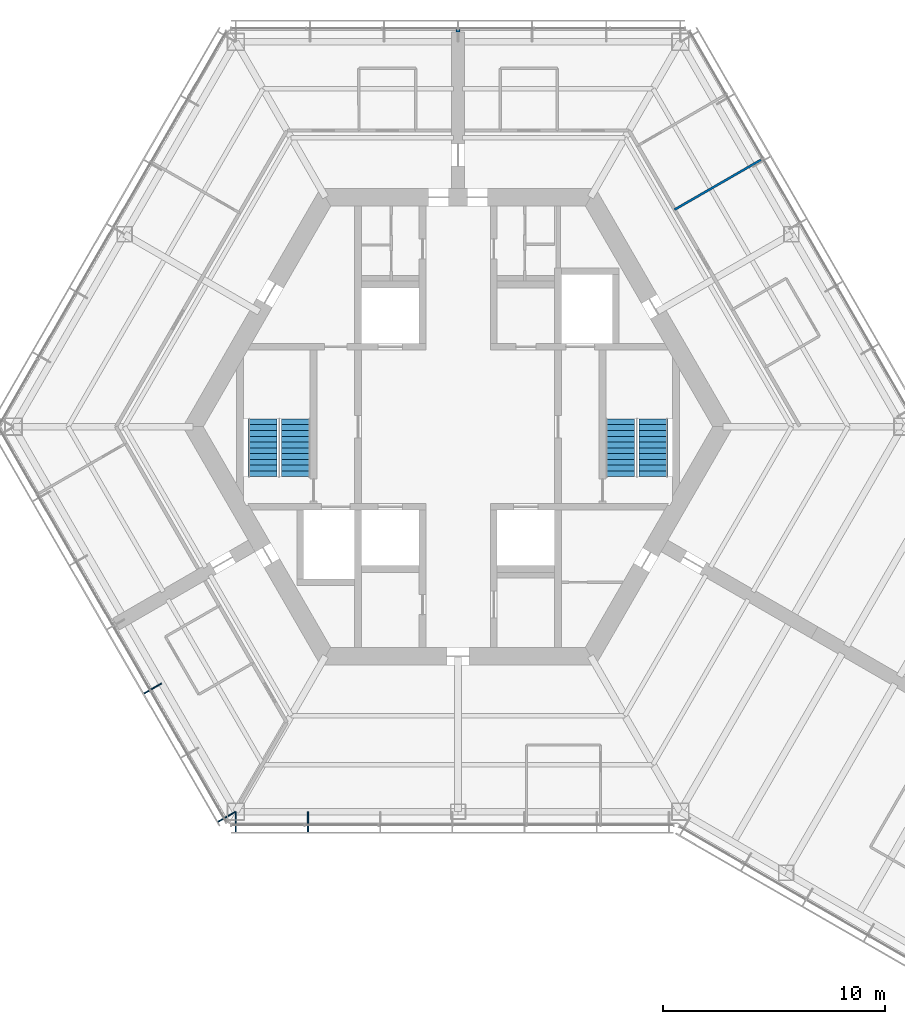
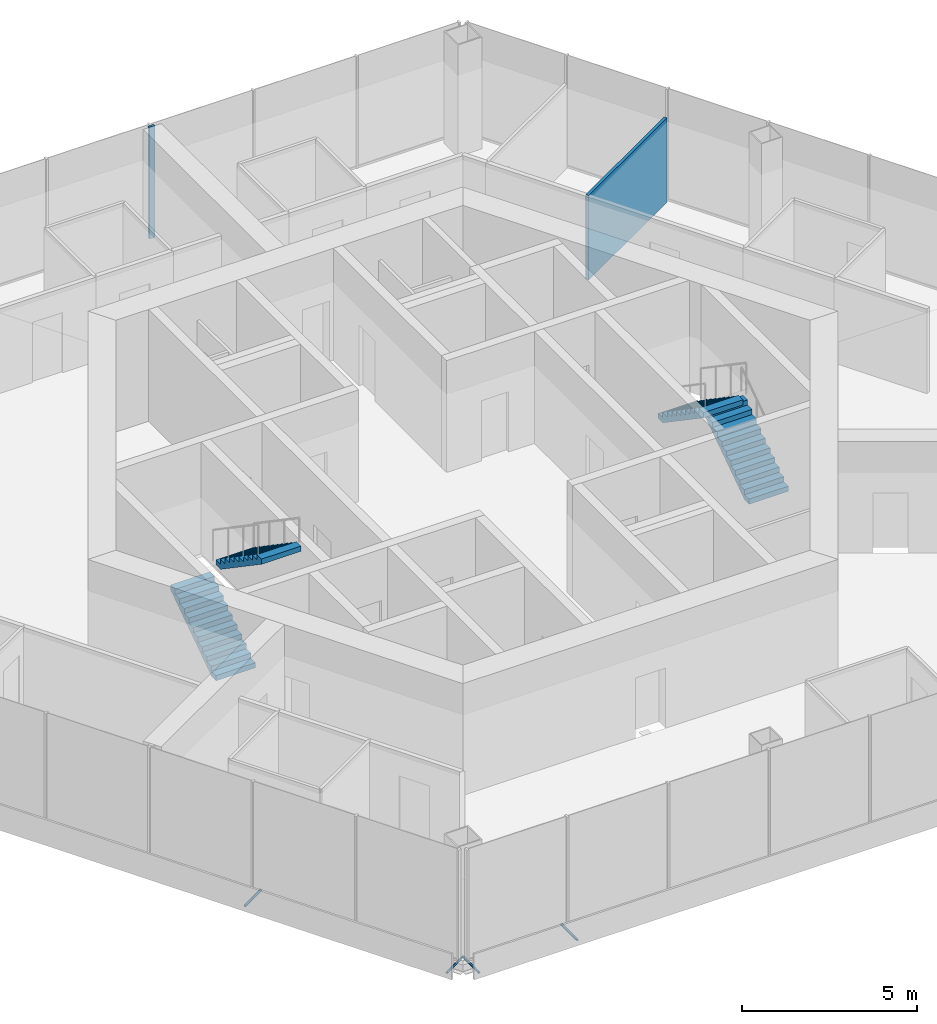
# One storey, part 13 of 15: 4 discrete accessories, 4 stair flights, 2 walls, 2 elements without a shape of their own.
"""IFC4 building model written with IfcOpenShell, lengths in metres."""

from ifc_helpers import new_model, si_unit, direction, frame, frame_2d, origin, origin_2d, place, context, subcontext, project, spatial, polyline, rectangle, hollow_circle, outline, extrude, material, layer, layer_set, material_profile, profile_set, type_object, element, aggregate, save


model = new_model("IFC4")

# Units and contexts
model_context = context("Model", 3, precision=1e-05, world=origin(), true_north=direction((0.0, 1.0)))
body_context = subcontext(model_context, "Body", "Model", "MODEL_VIEW")
ifc_project = project(units=[si_unit("LENGTHUNIT", "METRE"), si_unit("AREAUNIT", "SQUARE_METRE"), si_unit("VOLUMEUNIT", "CUBIC_METRE"), si_unit("PLANEANGLEUNIT", "RADIAN"), si_unit("MASSUNIT", "GRAM", prefix="KILO")], contexts=[model_context])

# Site, building, storey
site_placement = place(None, origin())
site = spatial("IfcSite", under=ifc_project, at=site_placement, CompositionType="ELEMENT")
building_placement = place(site_placement, origin())
building = spatial("IfcBuilding", under=site, at=building_placement, Name="Kasaneha Research Tower", CompositionType="ELEMENT")
storey_placement = place(building_placement, frame((0.0, 0.0, 240.10009765625)))
storey = spatial("IfcBuildingStorey", under=building, at=storey_placement, Name="L60", CompositionType="ELEMENT", Elevation=240.10009765625)

# Walls
ifc_material_1 = material(Name="Gypsum board on steel studs, one layer each side", Category="steel")
ifc_layer_1 = layer(ifc_material_1, 0.10009765625)
ifc_layer_set_1 = layer_set([ifc_layer_1], Name="Office partition 100")
wall_type_1 = type_object("IfcWallType", Name="Office partition 100", PredefinedType="PARTITIONING", material=ifc_layer_set_1)
wall_1_placement = place(storey_placement, frame((13.623291015625, 12.00439453125, 0.0), z_axis=(0.0, 0.0, 1.0), x_axis=(-0.866535947524, -0.499114667835, 0.0)))
element("IfcWall", 1, at=wall_1_placement, inside=storey, type_object=wall_type_1, Name="Office partition FAE15 L60", PredefinedType="PARTITIONING", context=body_context, shape_type="SweptSolid", body=[
    extrude(rectangle(XDim=4.47509765625, YDim=0.10009765625, at=frame_2d((2.237548828125, 0.0))), origin(), (0.0, 0.0, 1.0), 2.949951171875),
])
ifc_material_2 = material(Name="Gypsum board on steel studs, two layers each side", Category="steel")
ifc_layer_2 = layer(ifc_material_2, 0.175048828125)
ifc_layer_set_2 = layer_set([ifc_layer_2], Name="Tenancy fire partition 175")
wall_type_2 = type_object("IfcWallType", Name="Tenancy fire partition 175", PredefinedType="PARTITIONING", material=ifc_layer_set_2)
wall_2_placement = place(storey_placement, frame((0.0, 17.7705078125, 0.0), z_axis=(0.0, 0.0, 1.0), x_axis=(0.0, 1.0, 0.0)))
element("IfcWall", 2, at=wall_2_placement, inside=storey, type_object=wall_type_2, Name="Spine wall closer SW4-600 L60", PredefinedType="PARTITIONING", context=body_context, shape_type="SweptSolid", body=[
    extrude(rectangle(XDim=0.0849609375, YDim=0.175048828125, at=frame_2d((0.04248046875, 0.0))), origin(), (0.0, 0.0, 1.0), 3.89990234375),
])

# Stair, stair flights
ifc_material_3 = material(Name="Concrete Fc24", Category="concrete")
stair_type = type_object("IfcStairType", Name="Half-turn stair 22 risers", PredefinedType="HALF_TURN_STAIR", material=ifc_material_3)
stair_1_placement = place(storey_placement, origin())
stair_1 = element("IfcStair", 3, at=stair_1_placement, inside=storey, type_object=stair_type, Name="Stair 1 L60", PredefinedType="HALF_TURN_STAIR")
ifc_material_4 = material(Name="Concrete Fc24", Category="concrete")
stair_flight_type = type_object("IfcStairFlightType", Name="Stair flight 11 risers 177.3", PredefinedType="STRAIGHT", material=ifc_material_4)
stair_flight_1_placement = place(storey_placement, frame((8.800048828125, -2.25, 0.0), z_axis=(0.0, 0.0, 1.0), x_axis=(0.0, 1.0, 0.0)))
stair_flight_1 = element("IfcStairFlight", 4, at=stair_flight_1_placement, type_object=stair_flight_type, Name="ST1-22R flight 1", NumberOfRisers=11, NumberOfTreads=10, PredefinedType="STRAIGHT", RiserHeight=0.177272727, TreadLength=0.26, context=body_context, shape_type="SweptSolid", body=[
    extrude(outline(polyline([(0.0, 0.0), (0.0, 0.17724609375), (0.260009765625, 0.17724609375), (0.260009765625, 0.3544921875), (0.52001953125, 0.3544921875), (0.52001953125, 0.53173828125), (0.780029296875, 0.53173828125), (0.780029296875, 0.708984375), (1.0400390625, 0.708984375), (1.0400390625, 0.886474609375), (1.300048828125, 0.886474609375), (1.300048828125, 1.063720703125), (1.56005859375, 1.063720703125), (1.56005859375, 1.240966796875), (1.820068359375, 1.240966796875), (1.820068359375, 1.418212890625), (2.080078125, 1.418212890625), (2.080078125, 1.595458984375), (2.340087890625, 1.595458984375), (2.340087890625, 1.772705078125), (2.60009765625, 1.772705078125), (2.60009765625, 1.949951171875), (2.60009765625, 1.59130859375), (0.26611328125, 0.0), (0.0, 0.0)])), frame((0.0, 0.64990234375, 0.0), z_axis=(0.0, -1.0, 0.0), x_axis=(1.0, 0.0, 0.0)), (0.0, 0.0, 1.0), 1.300048828125),
])
stair_flight_2_placement = place(storey_placement, frame((7.300048828125, 0.35009765625, 1.949951171875), z_axis=(0.0, 0.0, 1.0), x_axis=(0.0, -1.0, 0.0)))
stair_flight_2 = element("IfcStairFlight", 5, at=stair_flight_2_placement, type_object=stair_flight_type, Name="ST1-22R flight 2", NumberOfRisers=11, NumberOfTreads=10, PredefinedType="STRAIGHT", RiserHeight=0.177272727, TreadLength=0.26, context=body_context, shape_type="SweptSolid", body=[
    extrude(outline(polyline([(0.0, 0.0), (0.0, 0.17724609375), (0.260009765625, 0.17724609375), (0.260009765625, 0.3544921875), (0.52001953125, 0.3544921875), (0.52001953125, 0.53173828125), (0.780029296875, 0.53173828125), (0.780029296875, 0.708984375), (1.0400390625, 0.708984375), (1.0400390625, 0.886474609375), (1.300048828125, 0.886474609375), (1.300048828125, 1.063720703125), (1.56005859375, 1.063720703125), (1.56005859375, 1.240966796875), (1.820068359375, 1.240966796875), (1.820068359375, 1.418212890625), (2.080078125, 1.418212890625), (2.080078125, 1.595458984375), (2.340087890625, 1.595458984375), (2.340087890625, 1.772705078125), (2.60009765625, 1.772705078125), (2.60009765625, 1.949951171875), (2.60009765625, 1.59130859375), (0.26611328125, 0.0), (0.0, 0.0)])), frame((0.0, 0.64990234375, 0.0), z_axis=(0.0, -1.0, 0.0), x_axis=(1.0, 0.0, 0.0)), (0.0, 0.0, 1.0), 1.300048828125),
])
aggregate(stair_1, [stair_flight_1, stair_flight_2])

stair_2_placement = place(storey_placement, origin())
stair_2 = element("IfcStair", 6, at=stair_2_placement, inside=storey, type_object=stair_type, Name="Stair 2 L60", PredefinedType="HALF_TURN_STAIR")
stair_flight_3_placement = place(storey_placement, frame((-8.800048828125, -2.25, 0.0), z_axis=(0.0, 0.0, 1.0), x_axis=(0.0, 1.0, 0.0)))
stair_flight_3 = element("IfcStairFlight", 7, at=stair_flight_3_placement, type_object=stair_flight_type, Name="ST2-22R flight 1", NumberOfRisers=11, NumberOfTreads=10, PredefinedType="STRAIGHT", RiserHeight=0.177272727, TreadLength=0.26, context=body_context, shape_type="SweptSolid", body=[
    extrude(outline(polyline([(0.0, 0.0), (0.0, 0.17724609375), (0.260009765625, 0.17724609375), (0.260009765625, 0.3544921875), (0.52001953125, 0.3544921875), (0.52001953125, 0.53173828125), (0.780029296875, 0.53173828125), (0.780029296875, 0.708984375), (1.0400390625, 0.708984375), (1.0400390625, 0.886474609375), (1.300048828125, 0.886474609375), (1.300048828125, 1.063720703125), (1.56005859375, 1.063720703125), (1.56005859375, 1.240966796875), (1.820068359375, 1.240966796875), (1.820068359375, 1.418212890625), (2.080078125, 1.418212890625), (2.080078125, 1.595458984375), (2.340087890625, 1.595458984375), (2.340087890625, 1.772705078125), (2.60009765625, 1.772705078125), (2.60009765625, 1.949951171875), (2.60009765625, 1.59130859375), (0.26611328125, 0.0), (0.0, 0.0)])), frame((0.0, 0.64990234375, 0.0), z_axis=(0.0, -1.0, 0.0), x_axis=(1.0, 0.0, 0.0)), (0.0, 0.0, 1.0), 1.300048828125),
])
stair_flight_4_placement = place(storey_placement, frame((-7.300048828125, 0.35009765625, 1.949951171875), z_axis=(0.0, 0.0, 1.0), x_axis=(0.0, -1.0, 0.0)))
stair_flight_4 = element("IfcStairFlight", 8, at=stair_flight_4_placement, type_object=stair_flight_type, Name="ST2-22R flight 2", NumberOfRisers=11, NumberOfTreads=10, PredefinedType="STRAIGHT", RiserHeight=0.177272727, TreadLength=0.26, context=body_context, shape_type="SweptSolid", body=[
    extrude(outline(polyline([(0.0, 0.0), (0.0, 0.17724609375), (0.260009765625, 0.17724609375), (0.260009765625, 0.3544921875), (0.52001953125, 0.3544921875), (0.52001953125, 0.53173828125), (0.780029296875, 0.53173828125), (0.780029296875, 0.708984375), (1.0400390625, 0.708984375), (1.0400390625, 0.886474609375), (1.300048828125, 0.886474609375), (1.300048828125, 1.063720703125), (1.56005859375, 1.063720703125), (1.56005859375, 1.240966796875), (1.820068359375, 1.240966796875), (1.820068359375, 1.418212890625), (2.080078125, 1.418212890625), (2.080078125, 1.595458984375), (2.340087890625, 1.595458984375), (2.340087890625, 1.772705078125), (2.60009765625, 1.772705078125), (2.60009765625, 1.949951171875), (2.60009765625, 1.59130859375), (0.26611328125, 0.0), (0.0, 0.0)])), frame((0.0, 0.64990234375, 0.0), z_axis=(0.0, -1.0, 0.0), x_axis=(1.0, 0.0, 0.0)), (0.0, 0.0, 1.0), 1.300048828125),
])
aggregate(stair_2, [stair_flight_3, stair_flight_4])

# Discrete accessories
ifc_material_5 = material(Name="Steel STK400", Category="steel")
ifc_material_profile = material_profile(ifc_material_5, hollow_circle(Radius=0.0380859375, WallThickness=0.00390625, at=origin_2d()), Name="CHS-76.3x4.0")
ifc_profile_set = profile_set([ifc_material_profile], Name="Steel STK400")
discrete_accessory_type = type_object("IfcDiscreteAccessoryType", Name="Screen bracket CHS-76.3x4.0", PredefinedType="BRACKET", material=ifc_profile_set)
discrete_accessory_1_placement = place(storey_placement, frame((-13.333984375, -11.5458984375, -0.300048828125), z_axis=(-0.866013213425, -0.500021113727, 0.0), x_axis=(0.500021113727, -0.866013213425, 0.0)))
element("IfcDiscreteAccessory", 9, at=discrete_accessory_1_placement, inside=storey, type_object=discrete_accessory_type, Name="Screen bracket 5", PredefinedType="BRACKET", context=body_context, shape_type="SweptSolid", body=[
    extrude(hollow_circle(Radius=0.0380859375, WallThickness=0.00390625, at=origin_2d()), origin(), (0.0, 0.0, 1.0), 0.919921875),
])
discrete_accessory_2_placement = place(storey_placement, frame((-10.001708984375, -17.3173828125, -0.300048828125), z_axis=(-0.866079547155, -0.499906209203, 0.0), x_axis=(0.499906209203, -0.866079547155, 0.0)))
element("IfcDiscreteAccessory", 10, at=discrete_accessory_2_placement, inside=storey, type_object=discrete_accessory_type, Name="Screen bracket 7", PredefinedType="BRACKET", context=body_context, shape_type="SweptSolid", body=[
    extrude(hollow_circle(Radius=0.0380859375, WallThickness=0.00390625, at=origin_2d()), origin(), (0.0, 0.0, 1.0), 0.920166015625),
])
for number, where, z_axis, x_axis, name in (
    (11, (-9.996337890625, -17.320556640625, -0.300048828125), (0.0, -1.0, 0.0), (1.0, 0.0, 0.0), "Screen bracket 1"),
    (12, (-6.748779296875, -17.320556640625, -0.300048828125), (0.0, -1.0, 0.0), (1.0, 0.0, 0.0), "Screen bracket 2"),
):
    element("IfcDiscreteAccessory", number, at=place(storey_placement, frame(where, z_axis=z_axis, x_axis=x_axis)), inside=storey, type_object=discrete_accessory_type, Name=name, PredefinedType="BRACKET", context=body_context, shape_type="SweptSolid", body=[
        extrude(hollow_circle(Radius=0.0380859375, WallThickness=0.00390625, at=origin_2d()), origin(), (0.0, 0.0, 1.0), 0.919921875),
    ])

save(model, "model.ifc")
